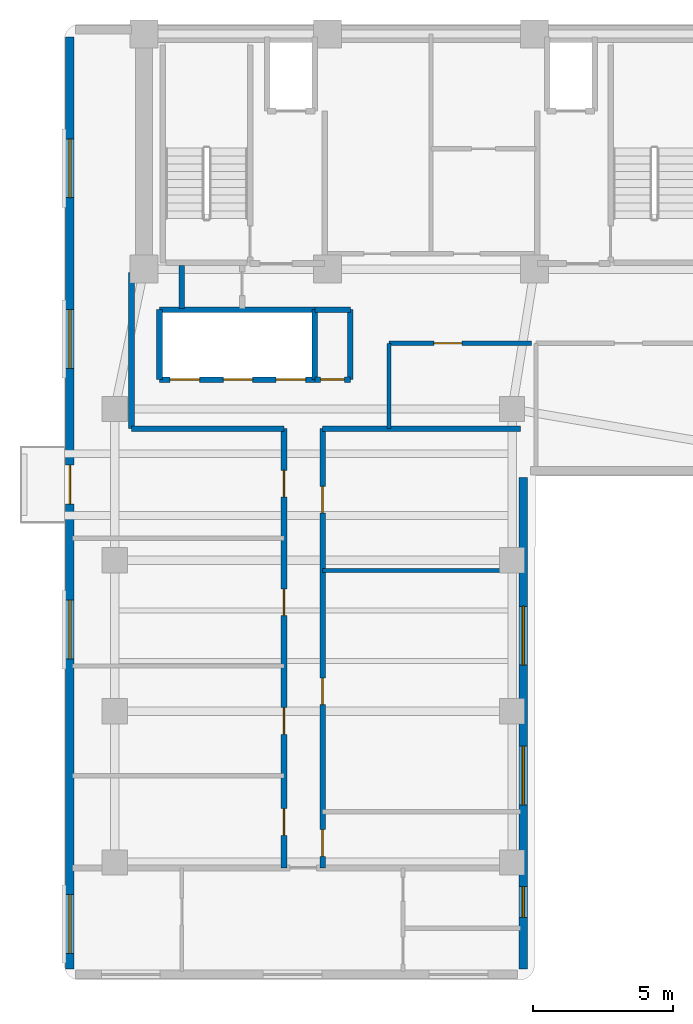
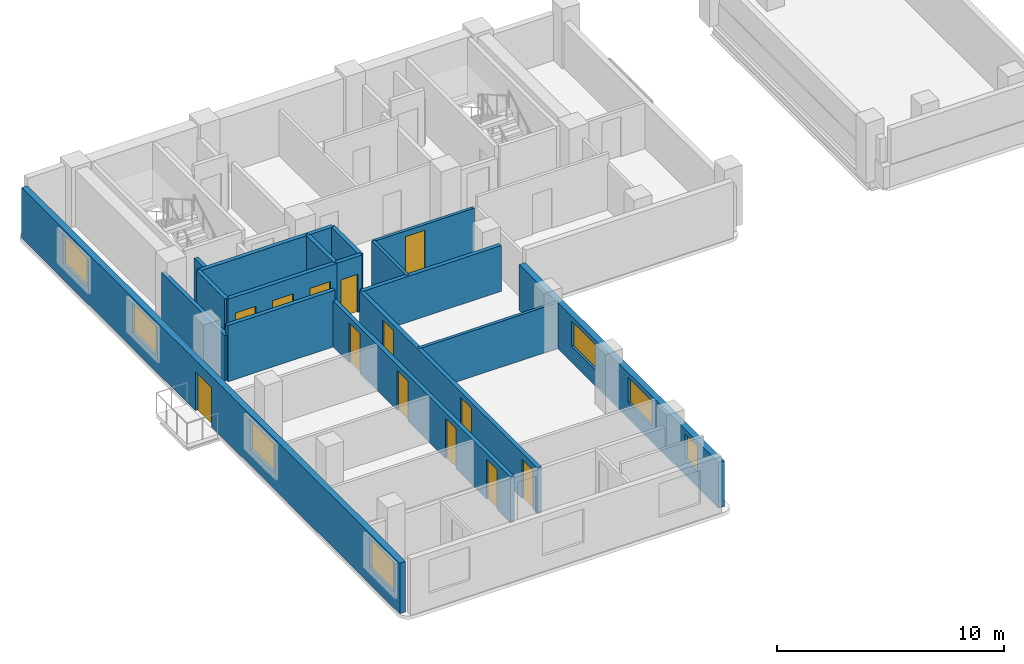
# One storey, part 6 of 10: 18 walls, 13 doors, 7 windows, 20 openings.
"""IFC4 building model written with IfcOpenShell, lengths in metres."""

import ifcopenshell
import ifcopenshell.guid

model = None  # the IFC model being written
_history = None  # IfcOwnerHistory: only IFC2X3 demands one
_inside = {}  # id of a spatial element -> (the spatial element, [elements in it])
_under = {}  # id of a project, library or spatial element -> (it, [spatial elements below it])
_declared = {}  # id of a project -> (the project, [libraries it declares])
_typed = {}  # id of a type object -> (the type object, [elements of that type])
_made_of = {}  # id of a material, layer set ... -> (it, [elements and type objects made of it])


def new_model(schema):
    """Start an empty IFC model of exactly this schema.

    Asked for "IFC4X3", IfcOpenShell would pick the latest addendum, in which some entities
    have other attributes; the version numbers below select the first issue.
    IFC2X3 requires an IfcOwnerHistory on every rooted entity: one is made here for all.
    """
    global model, _history
    if schema == "IFC4X3":
        model = ifcopenshell.file(schema_version=(4, 3, 0, 0))
    else:
        model = ifcopenshell.file(schema=schema)
    _inside.clear()
    _under.clear()
    _declared.clear()
    _typed.clear()
    _made_of.clear()
    _history = None
    if model.schema == "IFC2X3":
        org = make("IfcOrganization", Name="unknown")
        user = make(
            "IfcPersonAndOrganization",
            ThePerson=make("IfcPerson", FamilyName="unknown"),
            TheOrganization=org,
        )
        app = make(
            "IfcApplication",
            ApplicationDeveloper=org,
            Version="unknown",
            ApplicationFullName="unknown",
            ApplicationIdentifier="unknown",
        )
        _history = make(
            "IfcOwnerHistory",
            OwningUser=user,
            OwningApplication=app,
            ChangeAction="ADDED",
            CreationDate=0,
        )
    return model


def make(cls, **values):
    """One entity of the class cls with the attributes given. An attribute that is None is left unset."""
    return model.create_entity(
        cls, **{name: value for name, value in values.items() if value is not None}
    )


def rooted(cls, **values):
    """An entity with a GlobalId (a new one), such as an element, a storey or a relation."""
    return make(cls, GlobalId=ifcopenshell.guid.new(), OwnerHistory=_history, **values)


def si_unit(unit_type, name, prefix=None):
    """IfcSIUnit, for example si_unit("LENGTHUNIT", "METRE", prefix="MILLI")."""
    return make("IfcSIUnit", UnitType=unit_type, Prefix=prefix, Name=name)


def assignment(units):
    """IfcUnitAssignment: the units of a project."""
    return None if units is None else make("IfcUnitAssignment", Units=units)


def point(xyz):
    """IfcCartesianPoint."""
    return None if xyz is None else make("IfcCartesianPoint", Coordinates=xyz)


def direction(xyz):
    """IfcDirection."""
    return None if xyz is None else make("IfcDirection", DirectionRatios=xyz)


def frame(location, z_axis=None, x_axis=None):
    """IfcAxis2Placement3D, a coordinate frame: its origin and axes. An axis left out is left unset."""
    return make(
        "IfcAxis2Placement3D",
        Location=point(location),
        Axis=direction(z_axis),
        RefDirection=direction(x_axis),
    )


def frame_2d(location, x_axis=None):
    """IfcAxis2Placement2D, a coordinate frame in the plane: its origin and x axis."""
    return make(
        "IfcAxis2Placement2D", Location=point(location), RefDirection=direction(x_axis)
    )


def origin():
    """The frame at (0, 0, 0) with its axes left unset."""
    return frame((0.0, 0.0, 0.0))


def place(relative_to, where):
    """IfcLocalPlacement: puts the frame where relative to a parent placement (None: the world)."""
    return make(
        "IfcLocalPlacement", PlacementRelTo=relative_to, RelativePlacement=where
    )


def context(
    kind, dimensions, precision=None, world=None, true_north=None, identifier=None
):
    """IfcGeometricRepresentationContext, for example the 3D "Model" context."""
    return make(
        "IfcGeometricRepresentationContext",
        ContextIdentifier=identifier,
        ContextType=kind,
        CoordinateSpaceDimension=dimensions,
        Precision=precision,
        WorldCoordinateSystem=world,
        TrueNorth=true_north,
    )


def subcontext(parent, identifier, kind, view, scale=None):
    """IfcGeometricRepresentationSubContext, for example "Body" below "Model"."""
    return make(
        "IfcGeometricRepresentationSubContext",
        ContextIdentifier=identifier,
        ContextType=kind,
        ParentContext=parent,
        TargetScale=scale,
        TargetView=view,
    )


def project(units=None, contexts=None):
    """IfcProject with its units and contexts."""
    return rooted(
        "IfcProject",
        Name="project",
        RepresentationContexts=contexts,
        UnitsInContext=assignment(units),
    )


def spatial(cls, under=None, at=None, **own):
    """A site, building, storey or space (cls), placed at a placement, below another one or the project."""
    s = rooted(cls, ObjectPlacement=at, **own)
    if under is not None:
        _under.setdefault(under.id(), (under, []))[1].append(s)
    return s


def profile(cls, at=None, kind="AREA", **sizes):
    """A parametric profile (cls). Its sizes go by their IFC names, for example OverallWidth=200.0."""
    return make(cls, ProfileType=kind, Position=at, **sizes)


def rectangle(**sizes):
    """IfcRectangleProfileDef."""
    return profile("IfcRectangleProfileDef", **sizes)


def extrude(swept, where, along, depth):
    """IfcExtrudedAreaSolid: the profile swept, set in the frame where, extruded along a direction by depth."""
    return make(
        "IfcExtrudedAreaSolid",
        SweptArea=swept,
        Position=where,
        ExtrudedDirection=direction(along),
        Depth=depth,
    )


def shape(context_of_items, identifier, shape_type, items):
    """IfcShapeRepresentation: the items that make up one representation, for example the "Body"."""
    return make(
        "IfcShapeRepresentation",
        ContextOfItems=context_of_items,
        RepresentationIdentifier=identifier,
        RepresentationType=shape_type,
        Items=items,
    )


def material(Name=None, Category=None):
    """IfcMaterial."""
    return make("IfcMaterial", Name=Name, Category=Category)


def layer(
    of_material, thickness, ventilated=None, Name=None, Category=None, Priority=None
):
    """IfcMaterialLayer: one layer of a wall or slab, of a material (None: an air gap)."""
    return make(
        "IfcMaterialLayer",
        Material=of_material,
        LayerThickness=thickness,
        IsVentilated=ventilated,
        Name=Name,
        Category=Category,
        Priority=Priority,
    )


def layer_set(layers, Name=None):
    """IfcMaterialLayerSet."""
    return make("IfcMaterialLayerSet", MaterialLayers=layers, LayerSetName=Name)


def made_of(thing, what):
    """Note that an element or type object is made of a material, layer set ...; save() writes the relation."""
    if what is not None:
        _made_of.setdefault(what.id(), (what, []))[1].append(thing)
    return thing


def type_object(cls, material=None, **own):
    """A type object (cls), such as IfcWallType, which elements share."""
    return made_of(rooted(cls, **own), material)


def element(
    cls,
    number,
    at=None,
    inside=None,
    cuts=None,
    type_object=None,
    material=None,
    context=None,
    identifier="Body",
    shape_type=None,
    held_by="IfcProductDefinitionShape",
    body=None,
    shapes=None,
    **own,
):
    """One element of the class cls, such as IfcWall. Its Tag is "e" and its number.

    at: its placement. inside: the storey or other place that contains it. cuts: it is an
    opening in that element (IfcRelVoidsElement). A single representation is given by context,
    identifier, shape_type and body (its items); several are given by shapes. held_by: the class
    of the entity that holds the representations. save() writes the other relations.
    """
    e = rooted(cls, Tag="e%d" % number, ObjectPlacement=at, **own)
    if body is not None:
        shapes = [shape(context, identifier, shape_type, body)]
    if shapes is not None:
        e.Representation = make(held_by, Representations=shapes)
    if inside is not None:
        _inside.setdefault(inside.id(), (inside, []))[1].append(e)
    if cuts is not None:
        rooted(
            "IfcRelVoidsElement", RelatingBuildingElement=cuts, RelatedOpeningElement=e
        )
    if type_object is not None:
        _typed.setdefault(type_object.id(), (type_object, []))[1].append(e)
    return made_of(e, material)


def fill(opening, filler):
    """IfcRelFillsElement: the door or window that sits in an opening."""
    return rooted(
        "IfcRelFillsElement",
        RelatingOpeningElement=opening,
        RelatedBuildingElement=filler,
    )


def aggregate(whole, parts):
    """IfcRelAggregates: a whole, such as a stair, and the parts it consists of."""
    return rooted("IfcRelAggregates", RelatingObject=whole, RelatedObjects=parts)


def save(model, path):
    """Write the relations noted so far, then the file.

    IfcRelAggregates (storeys below a building ...), IfcRelContainedInSpatialStructure (elements
    in a storey), IfcRelDefinesByType, IfcRelAssociatesMaterial and IfcRelDeclares: one each for
    every whole, place, type object, material and project.
    """
    for whole, parts in _under.values():
        aggregate(whole, parts)
    for where, things in _inside.values():
        rooted(
            "IfcRelContainedInSpatialStructure",
            RelatedElements=things,
            RelatingStructure=where,
        )
    for kind, things in _typed.values():
        rooted("IfcRelDefinesByType", RelatedObjects=things, RelatingType=kind)
    for what, things in _made_of.values():
        rooted("IfcRelAssociatesMaterial", RelatedObjects=things, RelatingMaterial=what)
    for by, libraries in _declared.values():
        rooted("IfcRelDeclares", RelatingContext=by, RelatedDefinitions=libraries)
    model.write(path)


model = new_model("IFC4")

# Units and contexts
model_context = context("Model", 3, precision=1e-05, world=origin(), true_north=direction((0.0, 1.0)))
body_context = subcontext(model_context, "Body", "Model", "MODEL_VIEW")
ifc_project = project(units=[si_unit("LENGTHUNIT", "METRE"), si_unit("AREAUNIT", "SQUARE_METRE"), si_unit("VOLUMEUNIT", "CUBIC_METRE"), si_unit("PLANEANGLEUNIT", "RADIAN"), si_unit("MASSUNIT", "GRAM", prefix="KILO")], contexts=[model_context])

# Site, building, storey
site_placement = place(None, origin())
site = spatial("IfcSite", under=ifc_project, at=site_placement, CompositionType="ELEMENT")
building_placement = place(site_placement, origin())
building = spatial("IfcBuilding", under=site, at=building_placement, Name="Kuzgunbayir Cultural Tower", CompositionType="ELEMENT")
storey_placement = place(building_placement, frame((0.0, 0.0, 160.0)))
storey = spatial("IfcBuildingStorey", under=building, at=storey_placement, Name="L46", CompositionType="ELEMENT", Elevation=160.0)

# Wall, openings, door, windows
ifc_material_1 = material(Name="Anatolian Cream Limestone", Category="masonry")
ifc_layer_1 = layer(ifc_material_1, 0.300048828125)
ifc_layer_set_1 = layer_set([ifc_layer_1], Name="Anatolian Cream Limestone")
wall_type_1 = type_object("IfcWallType", Name="WAL-EXT-STONE-300", PredefinedType="STANDARD", material=ifc_layer_set_1)
wall_1_placement = place(storey_placement, frame((3.800048828125, 42.10009765625, 0.0), z_axis=(0.0, 0.0, 1.0), x_axis=(0.0, -1.0, 0.0)))
wall_1 = element("IfcWall", 1, at=wall_1_placement, inside=storey, type_object=wall_type_1, Name="L46 Wing A West Limestone Wall", PredefinedType="STANDARD", context=body_context, shape_type="SweptSolid", body=[
    extrude(rectangle(XDim=33.300048828125, YDim=0.300048828125, at=frame_2d((16.64990234375, 0.0))), origin(), (0.0, 0.0, 1.0), 2.7099609375),
])
opening_1_placement = place(wall_1_placement, frame((15.300048828125, 0.0, 0.0)))
opening_1 = element("IfcOpeningElement", 2, at=opening_1_placement, cuts=wall_1, Name="Opening BD-15", PredefinedType="OPENING", context=body_context, shape_type="SweptSolid", body=[
    extrude(rectangle(XDim=1.39990234375, YDim=2.10009765625, at=frame_2d((0.699951171875, 1.050048828125))), frame((0.0, 0.16015625, 0.0), z_axis=(0.0, -1.0, 0.0), x_axis=(1.0, 0.0, 0.0)), (0.0, 0.0, 1.0), 0.320068359375),
])
opening_2_placement = place(wall_1_placement, frame((30.64990234375, 0.0, 0.85009765625)))
opening_2 = element("IfcOpeningElement", 3, at=opening_2_placement, cuts=wall_1, Name="Opening WR-21", PredefinedType="OPENING", context=body_context, shape_type="SweptSolid", body=[
    extrude(rectangle(XDim=2.10009765625, YDim=1.610107421875, at=frame_2d((1.050048828125, 0.80517578125))), frame((0.0, 0.16015625, 0.0), z_axis=(0.0, -1.0, 0.0), x_axis=(1.0, 0.0, 0.0)), (0.0, 0.0, 1.0), 0.320068359375),
])
opening_3_placement = place(wall_1_placement, frame((20.1298828125, 0.0, 0.85009765625)))
opening_3 = element("IfcOpeningElement", 4, at=opening_3_placement, cuts=wall_1, Name="Opening WR-21", PredefinedType="OPENING", context=body_context, shape_type="SweptSolid", body=[
    extrude(rectangle(XDim=2.10009765625, YDim=1.610107421875, at=frame_2d((1.050048828125, 0.80517578125))), frame((0.0, 0.16015625, 0.0), z_axis=(0.0, -1.0, 0.0), x_axis=(1.0, 0.0, 0.0)), (0.0, 0.0, 1.0), 0.320068359375),
])
opening_4_placement = place(wall_1_placement, frame((9.75, 0.0, 0.85009765625)))
opening_4 = element("IfcOpeningElement", 5, at=opening_4_placement, cuts=wall_1, Name="Opening WR-21", PredefinedType="OPENING", context=body_context, shape_type="SweptSolid", body=[
    extrude(rectangle(XDim=2.10009765625, YDim=1.610107421875, at=frame_2d((1.050048828125, 0.80517578125))), frame((0.0, 0.16015625, 0.0), z_axis=(0.0, -1.0, 0.0), x_axis=(1.0, 0.0, 0.0)), (0.0, 0.0, 1.0), 0.320068359375),
])
opening_5_placement = place(wall_1_placement, frame((3.64990234375, 0.0, 0.85009765625)))
opening_5 = element("IfcOpeningElement", 6, at=opening_5_placement, cuts=wall_1, Name="Opening WR-21", PredefinedType="OPENING", context=body_context, shape_type="SweptSolid", body=[
    extrude(rectangle(XDim=2.10009765625, YDim=1.610107421875, at=frame_2d((1.050048828125, 0.80517578125))), frame((0.0, 0.16015625, 0.0), z_axis=(0.0, -1.0, 0.0), x_axis=(1.0, 0.0, 0.0)), (0.0, 0.0, 1.0), 0.320068359375),
])
ifc_material_2 = material(Name="Thermally Broken Glazed Aluminium", Category="aluminium")
door_type_1 = type_object("IfcDoorType", Name="DR-BALCONY-150", OperationType="SLIDING_TO_RIGHT", PredefinedType="DOOR", material=ifc_material_2)
door_1_placement = place(opening_1_placement, origin())
door_1 = element("IfcDoor", 7, at=door_1_placement, inside=storey, type_object=door_type_1, Name="L46 West Balcony Sliding Door BAL-L46-WA3", OperationType="SLIDING_TO_RIGHT", OverallHeight=2.10009765625, OverallWidth=1.39990234375, PredefinedType="DOOR", context=body_context, shape_type="SweptSolid", body=[
    extrude(rectangle(XDim=1.39990234375, YDim=2.10009765625, at=frame_2d((0.699951171875, 1.050048828125))), frame((0.0, 0.02490234375, 0.0), z_axis=(0.0, -1.0, 0.0), x_axis=(1.0, 0.0, 0.0)), (0.0, 0.0, 1.0), 0.050048828125),
])
fill(opening_1, door_1)
ifc_material_3 = material(Name="Solar-Control Triple Glazing", Category="glass")
window_type_1 = type_object("IfcWindowType", Name="WIN-RESID-21", PartitioningType="SINGLE_PANEL", PredefinedType="WINDOW", material=ifc_material_3)
window_1_placement = place(opening_2_placement, origin())
window_1 = element("IfcWindow", 8, at=window_1_placement, inside=storey, type_object=window_type_1, Name="L46 WAW Facade Window 5", OverallHeight=1.610107421875, OverallWidth=2.10009765625, PartitioningType="SINGLE_PANEL", PredefinedType="WINDOW", context=body_context, shape_type="SweptSolid", body=[
    extrude(rectangle(XDim=2.10009765625, YDim=1.610107421875, at=frame_2d((1.050048828125, 0.80517578125))), frame((0.0, 0.030029296875, 0.0), z_axis=(0.0, -1.0, 0.0), x_axis=(1.0, 0.0, 0.0)), (0.0, 0.0, 1.0), 0.06005859375),
])
fill(opening_2, window_1)
window_2_placement = place(opening_3_placement, origin())
window_2 = element("IfcWindow", 9, at=window_2_placement, inside=storey, type_object=window_type_1, Name="L46 WAW Facade Window 6", OverallHeight=1.610107421875, OverallWidth=2.10009765625, PartitioningType="SINGLE_PANEL", PredefinedType="WINDOW", context=body_context, shape_type="SweptSolid", body=[
    extrude(rectangle(XDim=2.10009765625, YDim=1.610107421875, at=frame_2d((1.050048828125, 0.80517578125))), frame((0.0, 0.030029296875, 0.0), z_axis=(0.0, -1.0, 0.0), x_axis=(1.0, 0.0, 0.0)), (0.0, 0.0, 1.0), 0.06005859375),
])
fill(opening_3, window_2)
window_3_placement = place(opening_4_placement, origin())
window_3 = element("IfcWindow", 10, at=window_3_placement, inside=storey, type_object=window_type_1, Name="L46 WAW Facade Window 7", OverallHeight=1.610107421875, OverallWidth=2.10009765625, PartitioningType="SINGLE_PANEL", PredefinedType="WINDOW", context=body_context, shape_type="SweptSolid", body=[
    extrude(rectangle(XDim=2.10009765625, YDim=1.610107421875, at=frame_2d((1.050048828125, 0.80517578125))), frame((0.0, 0.030029296875, 0.0), z_axis=(0.0, -1.0, 0.0), x_axis=(1.0, 0.0, 0.0)), (0.0, 0.0, 1.0), 0.06005859375),
])
fill(opening_4, window_3)
window_4_placement = place(opening_5_placement, origin())
window_4 = element("IfcWindow", 11, at=window_4_placement, inside=storey, type_object=window_type_1, Name="L46 WAW Facade Window 8", OverallHeight=1.610107421875, OverallWidth=2.10009765625, PartitioningType="SINGLE_PANEL", PredefinedType="WINDOW", context=body_context, shape_type="SweptSolid", body=[
    extrude(rectangle(XDim=2.10009765625, YDim=1.610107421875, at=frame_2d((1.050048828125, 0.80517578125))), frame((0.0, 0.030029296875, 0.0), z_axis=(0.0, -1.0, 0.0), x_axis=(1.0, 0.0, 0.0)), (0.0, 0.0, 1.0), 0.06005859375),
])
fill(opening_5, window_4)

# Wall, openings, windows
wall_2_placement = place(storey_placement, frame((20.0, 8.800048828125, 0.0), z_axis=(0.0, 0.0, 1.0), x_axis=(0.0, 1.0, 0.0)))
wall_2 = element("IfcWall", 12, at=wall_2_placement, inside=storey, type_object=wall_type_1, Name="L46 Wing A East Limestone Wall", PredefinedType="STANDARD", context=body_context, shape_type="SweptSolid", body=[
    extrude(rectangle(XDim=17.550048828125, YDim=0.300048828125, at=frame_2d((8.77490234375, 0.0))), origin(), (0.0, 0.0, 1.0), 2.4599609375),
])
opening_6_placement = place(wall_2_placement, frame((1.840087890625, 0.0, 0.85009765625)))
opening_6 = element("IfcOpeningElement", 13, at=opening_6_placement, cuts=wall_2, Name="Opening WN-11", PredefinedType="OPENING", context=body_context, shape_type="SweptSolid", body=[
    extrude(rectangle(XDim=1.10009765625, YDim=1.360107421875, at=frame_2d((0.550048828125, 0.68017578125))), frame((0.0, 0.16015625, 0.0), z_axis=(0.0, -1.0, 0.0), x_axis=(1.0, 0.0, 0.0)), (0.0, 0.0, 1.0), 0.320068359375),
])
opening_7_placement = place(wall_2_placement, frame((5.860107421875, 0.0, 0.85009765625)))
opening_7 = element("IfcOpeningElement", 14, at=opening_7_placement, cuts=wall_2, Name="Opening WR-21", PredefinedType="OPENING", context=body_context, shape_type="SweptSolid", body=[
    extrude(rectangle(XDim=2.10009765625, YDim=1.360107421875, at=frame_2d((1.050048828125, 0.68017578125))), frame((0.0, 0.16015625, 0.0), z_axis=(0.0, -1.0, 0.0), x_axis=(1.0, 0.0, 0.0)), (0.0, 0.0, 1.0), 0.320068359375),
])
opening_8_placement = place(wall_2_placement, frame((10.85009765625, 0.0, 0.85009765625)))
opening_8 = element("IfcOpeningElement", 15, at=opening_8_placement, cuts=wall_2, Name="Opening WR-21", PredefinedType="OPENING", context=body_context, shape_type="SweptSolid", body=[
    extrude(rectangle(XDim=2.10009765625, YDim=1.360107421875, at=frame_2d((1.050048828125, 0.68017578125))), frame((0.0, 0.16015625, 0.0), z_axis=(0.0, -1.0, 0.0), x_axis=(1.0, 0.0, 0.0)), (0.0, 0.0, 1.0), 0.320068359375),
])
window_type_2 = type_object("IfcWindowType", Name="WIN-NARROW-11", PartitioningType="SINGLE_PANEL", PredefinedType="WINDOW", material=ifc_material_3)
window_5_placement = place(opening_6_placement, origin())
window_5 = element("IfcWindow", 16, at=window_5_placement, inside=storey, type_object=window_type_2, Name="L46 WAE Facade Window 4", OverallHeight=1.360107421875, OverallWidth=1.10009765625, PartitioningType="SINGLE_PANEL", PredefinedType="WINDOW", context=body_context, shape_type="SweptSolid", body=[
    extrude(rectangle(XDim=1.10009765625, YDim=1.360107421875, at=frame_2d((0.550048828125, 0.68017578125))), frame((0.0, 0.030029296875, 0.0), z_axis=(0.0, -1.0, 0.0), x_axis=(1.0, 0.0, 0.0)), (0.0, 0.0, 1.0), 0.06005859375),
])
fill(opening_6, window_5)
window_6_placement = place(opening_7_placement, origin())
window_6 = element("IfcWindow", 17, at=window_6_placement, inside=storey, type_object=window_type_1, Name="L46 WAE Facade Window 9", OverallHeight=1.360107421875, OverallWidth=2.10009765625, PartitioningType="SINGLE_PANEL", PredefinedType="WINDOW", context=body_context, shape_type="SweptSolid", body=[
    extrude(rectangle(XDim=2.10009765625, YDim=1.360107421875, at=frame_2d((1.050048828125, 0.68017578125))), frame((0.0, 0.030029296875, 0.0), z_axis=(0.0, -1.0, 0.0), x_axis=(1.0, 0.0, 0.0)), (0.0, 0.0, 1.0), 0.06005859375),
])
fill(opening_7, window_6)
window_7_placement = place(opening_8_placement, origin())
window_7 = element("IfcWindow", 18, at=window_7_placement, inside=storey, type_object=window_type_1, Name="L46 WAE Facade Window 10", OverallHeight=1.360107421875, OverallWidth=2.10009765625, PartitioningType="SINGLE_PANEL", PredefinedType="WINDOW", context=body_context, shape_type="SweptSolid", body=[
    extrude(rectangle(XDim=2.10009765625, YDim=1.360107421875, at=frame_2d((1.050048828125, 0.68017578125))), frame((0.0, 0.030029296875, 0.0), z_axis=(0.0, -1.0, 0.0), x_axis=(1.0, 0.0, 0.0)), (0.0, 0.0, 1.0), 0.06005859375),
])
fill(opening_8, window_7)

# Wall, opening, door
ifc_material_4 = material(Name="Acoustic Double-Stud Drywall", Category="gypsum")
ifc_layer_2 = layer(ifc_material_4, 0.14990234375)
ifc_layer_set_2 = layer_set([ifc_layer_2], Name="Acoustic Double-Stud Drywall")
wall_type_2 = type_object("IfcWallType", Name="WAL-PART-ACOUSTIC-150", PredefinedType="PARTITIONING", material=ifc_layer_set_2)
wall_3_placement = place(storey_placement, frame((15.199951171875, 31.14990234375, 0.0), z_axis=(0.0, 0.0, 1.0), x_axis=(1.0, 0.0, 0.0)))
wall_3 = element("IfcWall", 19, at=wall_3_placement, inside=storey, type_object=wall_type_2, Name="L46 Central Sky Salon North Wall", PredefinedType="PARTITIONING", context=body_context, shape_type="SweptSolid", body=[
    extrude(rectangle(XDim=5.10009765625, YDim=0.14990234375, at=frame_2d((2.550048828125, 0.0))), origin(), (0.0, 0.0, 1.0), 2.4599609375),
])
opening_9_placement = place(wall_3_placement, frame((1.60009765625, 0.0, 0.0)))
opening_9 = element("IfcOpeningElement", 20, at=opening_9_placement, cuts=wall_3, Name="Opening DI-100", PredefinedType="OPENING", context=body_context, shape_type="SweptSolid", body=[
    extrude(rectangle(XDim=1.0, YDim=2.14990234375, at=frame_2d((0.5, 1.074951171875))), frame((0.0, 0.0849609375, 0.0), z_axis=(0.0, -1.0, 0.0), x_axis=(1.0, 0.0, 0.0)), (0.0, 0.0, 1.0), 0.169921875),
])
ifc_material_5 = material(Name="Veneered Oak Single Leaf", Category="wood")
door_type_2 = type_object("IfcDoorType", Name="DR-INT-100", OperationType="NOTDEFINED", PredefinedType="DOOR", material=ifc_material_5)
door_2_placement = place(opening_9_placement, origin())
door_2 = element("IfcDoor", 21, at=door_2_placement, inside=storey, type_object=door_type_2, Name="L46 Central Sky Salon Door", OperationType="SINGLE_SWING_LEFT", OverallHeight=2.14990234375, OverallWidth=1.0, PredefinedType="DOOR", context=body_context, shape_type="SweptSolid", body=[
    extrude(rectangle(XDim=1.0, YDim=2.14990234375, at=frame_2d((0.5, 1.074951171875))), frame((0.0, 0.02490234375, 0.0), z_axis=(0.0, -1.0, 0.0), x_axis=(1.0, 0.0, 0.0)), (0.0, 0.0, 1.0), 0.050048828125),
])
fill(opening_9, door_2)

# Walls
wall_4_placement = place(storey_placement, frame((15.199951171875, 28.10009765625, 0.0), z_axis=(0.0, 0.0, 1.0), x_axis=(0.0, 1.0, 0.0)))
element("IfcWall", 22, at=wall_4_placement, inside=storey, type_object=wall_type_2, Name="L46 Central Sky Salon West Wall", PredefinedType="PARTITIONING", context=body_context, shape_type="SweptSolid", body=[
    extrude(rectangle(XDim=3.0498046875, YDim=0.14990234375, at=frame_2d((1.52490234375, 0.0))), origin(), (0.0, 0.0, 1.0), 2.4599609375),
])
wall_5_placement = place(storey_placement, frame((12.830078125, 23.030029296875, 0.0), z_axis=(0.0, 0.0, 1.0), x_axis=(1.0, 0.0, 0.0)))
element("IfcWall", 23, at=wall_5_placement, inside=storey, type_object=wall_type_2, Name="L46 East Divider 1", PredefinedType="PARTITIONING", context=body_context, shape_type="SweptSolid", body=[
    extrude(rectangle(XDim=7.06982421875, YDim=0.14990234375, at=frame_2d((3.534912109375, 0.0))), origin(), (0.0, 0.0, 1.0), 2.4599609375),
])

# Wall, opening, door
ifc_material_6 = material(Name="Aerated Concrete Blockwork", Category="masonry")
ifc_layer_3 = layer(ifc_material_6, 0.199951171875)
ifc_layer_set_3 = layer_set([ifc_layer_3], Name="Aerated Concrete Blockwork")
wall_type_3 = type_object("IfcWallType", Name="WAL-PART-FIRE-200", PredefinedType="PARTITIONING", material=ifc_layer_set_3)
wall_6_placement = place(storey_placement, frame((12.550048828125, 29.85009765625, 0.0), z_axis=(0.0, 0.0, 1.0), x_axis=(1.0, 0.0, 0.0)))
wall_6 = element("IfcWall", 24, at=wall_6_placement, inside=storey, type_object=wall_type_3, Name="L46 Center Core Switchgear South Wall", PredefinedType="PARTITIONING", context=body_context, shape_type="SweptSolid", body=[
    extrude(rectangle(XDim=1.27001953125, YDim=0.199951171875, at=frame_2d((0.635009765625, 0.0))), origin(), (0.0, 0.0, 1.0), 3.02001953125),
])
opening_10_placement = place(wall_6_placement, frame((0.2099609375, 0.0, 0.0)))
opening_10 = element("IfcOpeningElement", 25, at=opening_10_placement, cuts=wall_6, Name="Opening DR-RSR-60", PredefinedType="OPENING", context=body_context, shape_type="SweptSolid", body=[
    extrude(rectangle(XDim=0.85009765625, YDim=2.050048828125, at=frame_2d((0.425048828125, 1.02490234375))), frame((0.0, 0.10986328125, 0.0), z_axis=(0.0, -1.0, 0.0), x_axis=(1.0, 0.0, 0.0)), (0.0, 0.0, 1.0), 0.219970703125),
])
ifc_material_7 = material(Name="Steel Access Leaf", Category="steel")
door_type_3 = type_object("IfcDoorType", Name="DR-RISER-60", OperationType="NOTDEFINED", PredefinedType="DOOR", material=ifc_material_7)
door_3_placement = place(opening_10_placement, origin())
door_3 = element("IfcDoor", 26, at=door_3_placement, inside=storey, type_object=door_type_3, Name="L46 Electrical Switchgear Closet Door", OperationType="SINGLE_SWING_RIGHT", OverallHeight=2.050048828125, OverallWidth=0.85009765625, PredefinedType="DOOR", context=body_context, shape_type="SweptSolid", body=[
    extrude(rectangle(XDim=0.85009765625, YDim=2.050048828125, at=frame_2d((0.425048828125, 1.02490234375))), frame((0.0, 0.02490234375, 0.0), z_axis=(0.0, -1.0, 0.0), x_axis=(1.0, 0.0, 0.0)), (0.0, 0.0, 1.0), 0.050048828125),
])
fill(opening_10, door_3)

# Walls
wall_7_placement = place(storey_placement, frame((13.820068359375, 29.85009765625, 0.0), z_axis=(0.0, 0.0, 1.0), x_axis=(0.0, 1.0, 0.0)))
element("IfcWall", 27, at=wall_7_placement, inside=storey, type_object=wall_type_3, Name="L46 Center Core Switchgear East Wall", PredefinedType="PARTITIONING", context=body_context, shape_type="SweptSolid", body=[
    extrude(rectangle(XDim=2.5, YDim=0.199951171875, at=frame_2d((1.25, 0.0))), origin(), (0.0, 0.0, 1.0), 3.02001953125),
])
wall_8_placement = place(storey_placement, frame((12.550048828125, 32.35009765625, 0.0), z_axis=(0.0, 0.0, 1.0), x_axis=(1.0, 0.0, 0.0)))
element("IfcWall", 28, at=wall_8_placement, inside=storey, type_object=wall_type_3, Name="L46 Center Core Switchgear North Wall", PredefinedType="PARTITIONING", context=body_context, shape_type="SweptSolid", body=[
    extrude(rectangle(XDim=1.27001953125, YDim=0.199951171875, at=frame_2d((0.635009765625, 0.0))), origin(), (0.0, 0.0, 1.0), 3.02001953125),
])
wall_9_placement = place(storey_placement, frame((7.800048828125, 32.39990234375, 0.0), z_axis=(0.0, 0.0, 1.0), x_axis=(0.0, 1.0, 0.0)))
element("IfcWall", 29, at=wall_9_placement, inside=storey, type_object=wall_type_3, Name="L46 West Core Electrical Closet West Wall", PredefinedType="PARTITIONING", context=body_context, shape_type="SweptSolid", body=[
    extrude(rectangle(XDim=1.52001953125, YDim=0.199951171875, at=frame_2d((0.760009765625, 0.0))), origin(), (0.0, 0.0, 1.0), 2.4599609375),
])

# Wall, openings, doors
wall_10_placement = place(storey_placement, frame((11.449951171875, 12.39990234375, 0.0), z_axis=(0.0, 0.0, 1.0), x_axis=(0.0, 1.0, 0.0)))
wall_10 = element("IfcWall", 30, at=wall_10_placement, inside=storey, type_object=wall_type_3, Name="L46 Wing A West Corridor Wall", PredefinedType="PARTITIONING", context=body_context, shape_type="SweptSolid", body=[
    extrude(rectangle(XDim=15.7001953125, YDim=0.199951171875, at=frame_2d((7.85009765625, 0.0))), origin(), (0.0, 0.0, 1.0), 2.4599609375),
])
opening_11_placement = place(wall_10_placement, frame((1.169921875, 0.0, 0.0)))
opening_11 = element("IfcOpeningElement", 31, at=opening_11_placement, cuts=wall_10, Name="Opening DI-90", PredefinedType="OPENING", context=body_context, shape_type="SweptSolid", body=[
    extrude(rectangle(XDim=0.949951171875, YDim=2.14990234375, at=frame_2d((0.47509765625, 1.074951171875))), frame((0.0, 0.10986328125, 0.0), z_axis=(0.0, -1.0, 0.0), x_axis=(1.0, 0.0, 0.0)), (0.0, 0.0, 1.0), 0.219970703125),
])
opening_12_placement = place(wall_10_placement, frame((4.780029296875, 0.0, 0.0)))
opening_12 = element("IfcOpeningElement", 32, at=opening_12_placement, cuts=wall_10, Name="Opening DI-90", PredefinedType="OPENING", context=body_context, shape_type="SweptSolid", body=[
    extrude(rectangle(XDim=0.949951171875, YDim=2.14990234375, at=frame_2d((0.47509765625, 1.074951171875))), frame((0.0, 0.10986328125, 0.0), z_axis=(0.0, -1.0, 0.0), x_axis=(1.0, 0.0, 0.0)), (0.0, 0.0, 1.0), 0.219970703125),
])
opening_13_placement = place(wall_10_placement, frame((9.02001953125, 0.0, 0.0)))
opening_13 = element("IfcOpeningElement", 33, at=opening_13_placement, cuts=wall_10, Name="Opening DI-90", PredefinedType="OPENING", context=body_context, shape_type="SweptSolid", body=[
    extrude(rectangle(XDim=0.949951171875, YDim=2.14990234375, at=frame_2d((0.47509765625, 1.074951171875))), frame((0.0, 0.10986328125, 0.0), z_axis=(0.0, -1.0, 0.0), x_axis=(1.0, 0.0, 0.0)), (0.0, 0.0, 1.0), 0.219970703125),
])
opening_14_placement = place(wall_10_placement, frame((13.260009765625, 0.0, 0.0)))
opening_14 = element("IfcOpeningElement", 34, at=opening_14_placement, cuts=wall_10, Name="Opening DI-90", PredefinedType="OPENING", context=body_context, shape_type="SweptSolid", body=[
    extrude(rectangle(XDim=0.949951171875, YDim=2.14990234375, at=frame_2d((0.47509765625, 1.074951171875))), frame((0.0, 0.10986328125, 0.0), z_axis=(0.0, -1.0, 0.0), x_axis=(1.0, 0.0, 0.0)), (0.0, 0.0, 1.0), 0.219970703125),
])
door_type_4 = type_object("IfcDoorType", Name="DR-INT-90", OperationType="NOTDEFINED", PredefinedType="DOOR", material=ifc_material_5)
door_4_placement = place(opening_11_placement, origin())
door_4 = element("IfcDoor", 35, at=door_4_placement, inside=storey, type_object=door_type_4, Name="L46 Culinary Tasting Pantry W1 Door", OperationType="SINGLE_SWING_RIGHT", OverallHeight=2.14990234375, OverallWidth=0.949951171875, PredefinedType="DOOR", context=body_context, shape_type="SweptSolid", body=[
    extrude(rectangle(XDim=0.949951171875, YDim=2.14990234375, at=frame_2d((0.47509765625, 1.074951171875))), frame((0.0, 0.02490234375, 0.0), z_axis=(0.0, -1.0, 0.0), x_axis=(1.0, 0.0, 0.0)), (0.0, 0.0, 1.0), 0.050048828125),
])
fill(opening_11, door_4)
door_5_placement = place(opening_12_placement, origin())
door_5 = element("IfcDoor", 36, at=door_5_placement, inside=storey, type_object=door_type_4, Name="L46 Culinary Tasting Pantry W2 Door", OperationType="SINGLE_SWING_LEFT", OverallHeight=2.14990234375, OverallWidth=0.949951171875, PredefinedType="DOOR", context=body_context, shape_type="SweptSolid", body=[
    extrude(rectangle(XDim=0.949951171875, YDim=2.14990234375, at=frame_2d((0.47509765625, 1.074951171875))), frame((0.0, 0.02490234375, 0.0), z_axis=(0.0, -1.0, 0.0), x_axis=(1.0, 0.0, 0.0)), (0.0, 0.0, 1.0), 0.050048828125),
])
fill(opening_12, door_5)
door_6_placement = place(opening_13_placement, origin())
door_6 = element("IfcDoor", 37, at=door_6_placement, inside=storey, type_object=door_type_4, Name="L46 Culinary Tasting Pantry W3 Door", OperationType="SINGLE_SWING_RIGHT", OverallHeight=2.14990234375, OverallWidth=0.949951171875, PredefinedType="DOOR", context=body_context, shape_type="SweptSolid", body=[
    extrude(rectangle(XDim=0.949951171875, YDim=2.14990234375, at=frame_2d((0.47509765625, 1.074951171875))), frame((0.0, 0.02490234375, 0.0), z_axis=(0.0, -1.0, 0.0), x_axis=(1.0, 0.0, 0.0)), (0.0, 0.0, 1.0), 0.050048828125),
])
fill(opening_13, door_6)
door_7_placement = place(opening_14_placement, origin())
door_7 = element("IfcDoor", 38, at=door_7_placement, inside=storey, type_object=door_type_4, Name="L46 Curatorial Office W4 Door", OperationType="SINGLE_SWING_LEFT", OverallHeight=2.14990234375, OverallWidth=0.949951171875, PredefinedType="DOOR", context=body_context, shape_type="SweptSolid", body=[
    extrude(rectangle(XDim=0.949951171875, YDim=2.14990234375, at=frame_2d((0.47509765625, 1.074951171875))), frame((0.0, 0.02490234375, 0.0), z_axis=(0.0, -1.0, 0.0), x_axis=(1.0, 0.0, 0.0)), (0.0, 0.0, 1.0), 0.050048828125),
])
fill(opening_14, door_7)

wall_11_placement = place(storey_placement, frame((12.830078125, 12.39990234375, 0.0), z_axis=(0.0, 0.0, 1.0), x_axis=(0.0, 1.0, 0.0)))
wall_11 = element("IfcWall", 39, at=wall_11_placement, inside=storey, type_object=wall_type_3, Name="L46 Wing A East Corridor Wall", PredefinedType="PARTITIONING", context=body_context, shape_type="SweptSolid", body=[
    extrude(rectangle(XDim=15.7001953125, YDim=0.199951171875, at=frame_2d((7.85009765625, 0.0))), origin(), (0.0, 0.0, 1.0), 2.4599609375),
])
opening_15_placement = place(wall_11_placement, frame((0.419921875, 0.0, 0.0)))
opening_15 = element("IfcOpeningElement", 40, at=opening_15_placement, cuts=wall_11, Name="Opening DW-95", PredefinedType="OPENING", context=body_context, shape_type="SweptSolid", body=[
    extrude(rectangle(XDim=0.949951171875, YDim=2.10009765625, at=frame_2d((0.47509765625, 1.050048828125))), frame((0.0, 0.10986328125, 0.0), z_axis=(0.0, -1.0, 0.0), x_axis=(1.0, 0.0, 0.0)), (0.0, 0.0, 1.0), 0.219970703125),
])
opening_16_placement = place(wall_11_placement, frame((5.840087890625, 0.0, 0.0)))
opening_16 = element("IfcOpeningElement", 41, at=opening_16_placement, cuts=wall_11, Name="Opening DI-90", PredefinedType="OPENING", context=body_context, shape_type="SweptSolid", body=[
    extrude(rectangle(XDim=0.949951171875, YDim=2.14990234375, at=frame_2d((0.47509765625, 1.074951171875))), frame((0.0, 0.10986328125, 0.0), z_axis=(0.0, -1.0, 0.0), x_axis=(1.0, 0.0, 0.0)), (0.0, 0.0, 1.0), 0.219970703125),
])
opening_17_placement = place(wall_11_placement, frame((12.68994140625, 0.0, 0.0)))
opening_17 = element("IfcOpeningElement", 42, at=opening_17_placement, cuts=wall_11, Name="Opening DI-90", PredefinedType="OPENING", context=body_context, shape_type="SweptSolid", body=[
    extrude(rectangle(XDim=0.949951171875, YDim=2.14990234375, at=frame_2d((0.47509765625, 1.074951171875))), frame((0.0, 0.10986328125, 0.0), z_axis=(0.0, -1.0, 0.0), x_axis=(1.0, 0.0, 0.0)), (0.0, 0.0, 1.0), 0.219970703125),
])
door_8_placement = place(opening_16_placement, origin())
door_8 = element("IfcDoor", 43, at=door_8_placement, inside=storey, type_object=door_type_4, Name="L46 East Culinary Tasting Pantry E1 Door", OperationType="SINGLE_SWING_LEFT", OverallHeight=2.14990234375, OverallWidth=0.949951171875, PredefinedType="DOOR", context=body_context, shape_type="SweptSolid", body=[
    extrude(rectangle(XDim=0.949951171875, YDim=2.14990234375, at=frame_2d((0.47509765625, 1.074951171875))), frame((0.0, 0.02490234375, 0.0), z_axis=(0.0, -1.0, 0.0), x_axis=(1.0, 0.0, 0.0)), (0.0, 0.0, 1.0), 0.050048828125),
])
fill(opening_16, door_8)
door_9_placement = place(opening_17_placement, origin())
door_9 = element("IfcDoor", 44, at=door_9_placement, inside=storey, type_object=door_type_4, Name="L46 East Art Publication Salon E2 Door", OperationType="SINGLE_SWING_RIGHT", OverallHeight=2.14990234375, OverallWidth=0.949951171875, PredefinedType="DOOR", context=body_context, shape_type="SweptSolid", body=[
    extrude(rectangle(XDim=0.949951171875, YDim=2.14990234375, at=frame_2d((0.47509765625, 1.074951171875))), frame((0.0, 0.02490234375, 0.0), z_axis=(0.0, -1.0, 0.0), x_axis=(1.0, 0.0, 0.0)), (0.0, 0.0, 1.0), 0.050048828125),
])
fill(opening_17, door_9)
ifc_material_8 = material(Name="Laminate Moisture-Resistant Leaf", Category="wood")
door_type_5 = type_object("IfcDoorType", Name="DR-WET-95", OperationType="NOTDEFINED", PredefinedType="DOOR", material=ifc_material_8)
door_10_placement = place(opening_15_placement, origin())
door_10 = element("IfcDoor", 45, at=door_10_placement, inside=storey, type_object=door_type_5, Name="L46 Visitor Accessible WC Door", OperationType="SINGLE_SWING_RIGHT", OverallHeight=2.10009765625, OverallWidth=0.949951171875, PredefinedType="DOOR", context=body_context, shape_type="SweptSolid", body=[
    extrude(rectangle(XDim=0.949951171875, YDim=2.10009765625, at=frame_2d((0.47509765625, 1.050048828125))), frame((0.0, 0.02490234375, 0.0), z_axis=(0.0, -1.0, 0.0), x_axis=(1.0, 0.0, 0.0)), (0.0, 0.0, 1.0), 0.050048828125),
])
fill(opening_15, door_10)

# Walls
wall_12_placement = place(storey_placement, frame((6.0, 28.10009765625, 0.0), z_axis=(0.0, 0.0, 1.0), x_axis=(1.0, 0.0, 0.0)))
element("IfcWall", 46, at=wall_12_placement, inside=storey, type_object=wall_type_3, Name="L46 North West Partition", PredefinedType="PARTITIONING", context=body_context, shape_type="SweptSolid", body=[
    extrude(rectangle(XDim=5.449951171875, YDim=0.199951171875, at=frame_2d((2.72509765625, 0.0))), origin(), (0.0, 0.0, 1.0), 3.02001953125),
])
wall_13_placement = place(storey_placement, frame((6.0, 28.10009765625, 0.0), z_axis=(0.0, 0.0, 1.0), x_axis=(0.0, 1.0, 0.0)))
element("IfcWall", 47, at=wall_13_placement, inside=storey, type_object=wall_type_3, Name="L46 North West Gallery Wing Wall", PredefinedType="PARTITIONING", context=body_context, shape_type="SweptSolid", body=[
    extrude(rectangle(XDim=5.579833984375, YDim=0.199951171875, at=frame_2d((2.7900390625, 0.0))), origin(), (0.0, 0.0, 1.0), 2.4599609375),
])
wall_14_placement = place(storey_placement, frame((12.830078125, 28.10009765625, 0.0), z_axis=(0.0, 0.0, 1.0), x_axis=(1.0, 0.0, 0.0)))
element("IfcWall", 48, at=wall_14_placement, inside=storey, type_object=wall_type_3, Name="L46 North East Partition", PredefinedType="PARTITIONING", context=body_context, shape_type="SweptSolid", body=[
    extrude(rectangle(XDim=7.06982421875, YDim=0.199951171875, at=frame_2d((3.534912109375, 0.0))), origin(), (0.0, 0.0, 1.0), 2.4599609375),
])

# Wall, openings, doors
ifc_material_9 = material(Name="Concrete C40/50", Category="concrete")
ifc_layer_4 = layer(ifc_material_9, 0.199951171875)
ifc_layer_set_4 = layer_set([ifc_layer_4], Name="Concrete C40/50")
wall_type_4 = type_object("IfcWallType", Name="WAL-SHAFT-200", PredefinedType="MOVABLE", material=ifc_layer_set_4)
wall_15_placement = place(storey_placement, frame((7.0, 29.85009765625, 0.0), z_axis=(0.0, 0.0, 1.0), x_axis=(1.0, 0.0, 0.0)))
wall_15 = element("IfcWall", 49, at=wall_15_placement, inside=storey, type_object=wall_type_4, Name="L46 High-Rise Lift Shaft South Wall", PredefinedType="MOVABLE", context=body_context, shape_type="SweptSolid", body=[
    extrude(rectangle(XDim=5.550048828125, YDim=0.199951171875, at=frame_2d((2.77490234375, 0.0))), origin(), (0.0, 0.0, 1.0), 3.02001953125),
])
opening_18_placement = place(wall_15_placement, frame((0.3798828125, 0.0, 0.0)))
opening_18 = element("IfcOpeningElement", 50, at=opening_18_placement, cuts=wall_15, Name="Opening LD", PredefinedType="OPENING", context=body_context, shape_type="SweptSolid", body=[
    extrude(rectangle(XDim=1.050048828125, YDim=2.14990234375, at=frame_2d((0.52490234375, 1.074951171875))), frame((0.0, 0.10986328125, 0.0), z_axis=(0.0, -1.0, 0.0), x_axis=(1.0, 0.0, 0.0)), (0.0, 0.0, 1.0), 0.219970703125),
])
opening_19_placement = place(wall_15_placement, frame((2.280029296875, 0.0, 0.0)))
opening_19 = element("IfcOpeningElement", 51, at=opening_19_placement, cuts=wall_15, Name="Opening LD", PredefinedType="OPENING", context=body_context, shape_type="SweptSolid", body=[
    extrude(rectangle(XDim=1.050048828125, YDim=2.14990234375, at=frame_2d((0.52490234375, 1.074951171875))), frame((0.0, 0.10986328125, 0.0), z_axis=(0.0, -1.0, 0.0), x_axis=(1.0, 0.0, 0.0)), (0.0, 0.0, 1.0), 0.219970703125),
])
opening_20_placement = place(wall_15_placement, frame((4.169921875, 0.0, 0.0)))
opening_20 = element("IfcOpeningElement", 52, at=opening_20_placement, cuts=wall_15, Name="Opening LD", PredefinedType="OPENING", context=body_context, shape_type="SweptSolid", body=[
    extrude(rectangle(XDim=1.050048828125, YDim=2.14990234375, at=frame_2d((0.52490234375, 1.074951171875))), frame((0.0, 0.10986328125, 0.0), z_axis=(0.0, -1.0, 0.0), x_axis=(1.0, 0.0, 0.0)), (0.0, 0.0, 1.0), 0.219970703125),
])
ifc_material_10 = material(Name="Brushed Stainless Steel", Category="steel")
door_type_6 = type_object("IfcDoorType", Name="DR-LIFT-LANDING", OperationType="SLIDING_TO_LEFT", PredefinedType="DOOR", material=ifc_material_10)
door_11_placement = place(opening_18_placement, origin())
door_11 = element("IfcDoor", 53, at=door_11_placement, inside=storey, type_object=door_type_6, Name="L46 Lift PH-1 Landing Door", OperationType="SLIDING_TO_LEFT", OverallHeight=2.14990234375, OverallWidth=1.050048828125, PredefinedType="DOOR", context=body_context, shape_type="SweptSolid", body=[
    extrude(rectangle(XDim=1.050048828125, YDim=2.14990234375, at=frame_2d((0.52490234375, 1.074951171875))), frame((0.0, 0.02490234375, 0.0), z_axis=(0.0, -1.0, 0.0), x_axis=(1.0, 0.0, 0.0)), (0.0, 0.0, 1.0), 0.050048828125),
])
fill(opening_18, door_11)
door_12_placement = place(opening_19_placement, origin())
door_12 = element("IfcDoor", 54, at=door_12_placement, inside=storey, type_object=door_type_6, Name="L46 Lift PH-2 Landing Door", OperationType="SLIDING_TO_LEFT", OverallHeight=2.14990234375, OverallWidth=1.050048828125, PredefinedType="DOOR", context=body_context, shape_type="SweptSolid", body=[
    extrude(rectangle(XDim=1.050048828125, YDim=2.14990234375, at=frame_2d((0.52490234375, 1.074951171875))), frame((0.0, 0.02490234375, 0.0), z_axis=(0.0, -1.0, 0.0), x_axis=(1.0, 0.0, 0.0)), (0.0, 0.0, 1.0), 0.050048828125),
])
fill(opening_19, door_12)
door_13_placement = place(opening_20_placement, origin())
door_13 = element("IfcDoor", 55, at=door_13_placement, inside=storey, type_object=door_type_6, Name="L46 Lift PH-3 Landing Door", OperationType="SLIDING_TO_LEFT", OverallHeight=2.14990234375, OverallWidth=1.050048828125, PredefinedType="DOOR", context=body_context, shape_type="SweptSolid", body=[
    extrude(rectangle(XDim=1.050048828125, YDim=2.14990234375, at=frame_2d((0.52490234375, 1.074951171875))), frame((0.0, 0.02490234375, 0.0), z_axis=(0.0, -1.0, 0.0), x_axis=(1.0, 0.0, 0.0)), (0.0, 0.0, 1.0), 0.050048828125),
])
fill(opening_20, door_13)

# Walls
wall_16_placement = place(storey_placement, frame((7.0, 32.35009765625, 0.0), z_axis=(0.0, 0.0, 1.0), x_axis=(1.0, 0.0, 0.0)))
element("IfcWall", 56, at=wall_16_placement, inside=storey, type_object=wall_type_4, Name="L46 High-Rise Lift Shaft North Wall", PredefinedType="MOVABLE", context=body_context, shape_type="SweptSolid", body=[
    extrude(rectangle(XDim=5.550048828125, YDim=0.199951171875, at=frame_2d((2.77490234375, 0.0))), origin(), (0.0, 0.0, 1.0), 3.02001953125),
])
for number, where, z_axis, x_axis, name in (
    (57, (7.0, 29.85009765625, 0.0), (0.0, 0.0, 1.0), (0.0, 1.0, 0.0), "L46 High-Rise Lift Shaft West Wall"),
    (58, (12.550048828125, 29.85009765625, 0.0), (0.0, 0.0, 1.0), (0.0, 1.0, 0.0), "L46 High-Rise Lift Shaft East Wall"),
):
    element("IfcWall", number, at=place(storey_placement, frame(where, z_axis=z_axis, x_axis=x_axis)), inside=storey, type_object=wall_type_4, Name=name, PredefinedType="MOVABLE", context=body_context, shape_type="SweptSolid", body=[
        extrude(rectangle(XDim=2.5, YDim=0.199951171875, at=frame_2d((1.25, 0.0))), origin(), (0.0, 0.0, 1.0), 3.02001953125),
    ])

save(model, "model.ifc")
